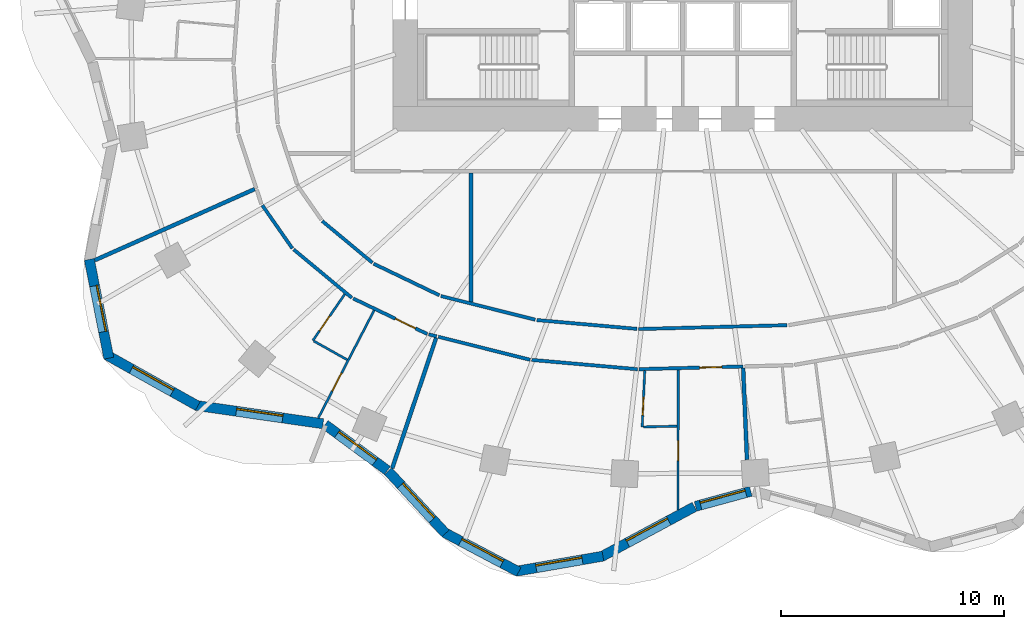
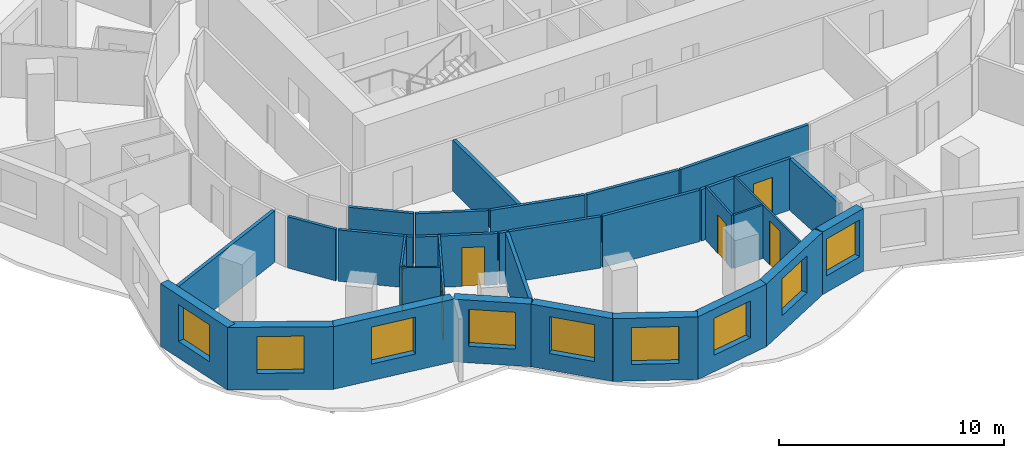
# One storey, part 3 of 10: 31 walls, 9 windows, 6 doors, 15 openings.
"""IFC4 building model written with IfcOpenShell, lengths in metres."""

import ifcopenshell
import ifcopenshell.guid

model = None  # the IFC model being written
_history = None  # IfcOwnerHistory: only IFC2X3 demands one
_inside = {}  # id of a spatial element -> (the spatial element, [elements in it])
_under = {}  # id of a project, library or spatial element -> (it, [spatial elements below it])
_declared = {}  # id of a project -> (the project, [libraries it declares])
_typed = {}  # id of a type object -> (the type object, [elements of that type])
_made_of = {}  # id of a material, layer set ... -> (it, [elements and type objects made of it])


def new_model(schema):
    """Start an empty IFC model of exactly this schema.

    Asked for "IFC4X3", IfcOpenShell would pick the latest addendum, in which some entities
    have other attributes; the version numbers below select the first issue.
    IFC2X3 requires an IfcOwnerHistory on every rooted entity: one is made here for all.
    """
    global model, _history
    if schema == "IFC4X3":
        model = ifcopenshell.file(schema_version=(4, 3, 0, 0))
    else:
        model = ifcopenshell.file(schema=schema)
    _inside.clear()
    _under.clear()
    _declared.clear()
    _typed.clear()
    _made_of.clear()
    _history = None
    if model.schema == "IFC2X3":
        org = make("IfcOrganization", Name="unknown")
        user = make(
            "IfcPersonAndOrganization",
            ThePerson=make("IfcPerson", FamilyName="unknown"),
            TheOrganization=org,
        )
        app = make(
            "IfcApplication",
            ApplicationDeveloper=org,
            Version="unknown",
            ApplicationFullName="unknown",
            ApplicationIdentifier="unknown",
        )
        _history = make(
            "IfcOwnerHistory",
            OwningUser=user,
            OwningApplication=app,
            ChangeAction="ADDED",
            CreationDate=0,
        )
    return model


def make(cls, **values):
    """One entity of the class cls with the attributes given. An attribute that is None is left unset."""
    return model.create_entity(
        cls, **{name: value for name, value in values.items() if value is not None}
    )


def rooted(cls, **values):
    """An entity with a GlobalId (a new one), such as an element, a storey or a relation."""
    return make(cls, GlobalId=ifcopenshell.guid.new(), OwnerHistory=_history, **values)


def si_unit(unit_type, name, prefix=None):
    """IfcSIUnit, for example si_unit("LENGTHUNIT", "METRE", prefix="MILLI")."""
    return make("IfcSIUnit", UnitType=unit_type, Prefix=prefix, Name=name)


def assignment(units):
    """IfcUnitAssignment: the units of a project."""
    return None if units is None else make("IfcUnitAssignment", Units=units)


def point(xyz):
    """IfcCartesianPoint."""
    return None if xyz is None else make("IfcCartesianPoint", Coordinates=xyz)


def direction(xyz):
    """IfcDirection."""
    return None if xyz is None else make("IfcDirection", DirectionRatios=xyz)


def frame(location, z_axis=None, x_axis=None):
    """IfcAxis2Placement3D, a coordinate frame: its origin and axes. An axis left out is left unset."""
    return make(
        "IfcAxis2Placement3D",
        Location=point(location),
        Axis=direction(z_axis),
        RefDirection=direction(x_axis),
    )


def frame_2d(location, x_axis=None):
    """IfcAxis2Placement2D, a coordinate frame in the plane: its origin and x axis."""
    return make(
        "IfcAxis2Placement2D", Location=point(location), RefDirection=direction(x_axis)
    )


def origin():
    """The frame at (0, 0, 0) with its axes left unset."""
    return frame((0.0, 0.0, 0.0))


def place(relative_to, where):
    """IfcLocalPlacement: puts the frame where relative to a parent placement (None: the world)."""
    return make(
        "IfcLocalPlacement", PlacementRelTo=relative_to, RelativePlacement=where
    )


def context(
    kind, dimensions, precision=None, world=None, true_north=None, identifier=None
):
    """IfcGeometricRepresentationContext, for example the 3D "Model" context."""
    return make(
        "IfcGeometricRepresentationContext",
        ContextIdentifier=identifier,
        ContextType=kind,
        CoordinateSpaceDimension=dimensions,
        Precision=precision,
        WorldCoordinateSystem=world,
        TrueNorth=true_north,
    )


def subcontext(parent, identifier, kind, view, scale=None):
    """IfcGeometricRepresentationSubContext, for example "Body" below "Model"."""
    return make(
        "IfcGeometricRepresentationSubContext",
        ContextIdentifier=identifier,
        ContextType=kind,
        ParentContext=parent,
        TargetScale=scale,
        TargetView=view,
    )


def project(units=None, contexts=None):
    """IfcProject with its units and contexts."""
    return rooted(
        "IfcProject",
        Name="project",
        RepresentationContexts=contexts,
        UnitsInContext=assignment(units),
    )


def spatial(cls, under=None, at=None, **own):
    """A site, building, storey or space (cls), placed at a placement, below another one or the project."""
    s = rooted(cls, ObjectPlacement=at, **own)
    if under is not None:
        _under.setdefault(under.id(), (under, []))[1].append(s)
    return s


def profile(cls, at=None, kind="AREA", **sizes):
    """A parametric profile (cls). Its sizes go by their IFC names, for example OverallWidth=200.0."""
    return make(cls, ProfileType=kind, Position=at, **sizes)


def rectangle(**sizes):
    """IfcRectangleProfileDef."""
    return profile("IfcRectangleProfileDef", **sizes)


def extrude(swept, where, along, depth):
    """IfcExtrudedAreaSolid: the profile swept, set in the frame where, extruded along a direction by depth."""
    return make(
        "IfcExtrudedAreaSolid",
        SweptArea=swept,
        Position=where,
        ExtrudedDirection=direction(along),
        Depth=depth,
    )


def shape(context_of_items, identifier, shape_type, items):
    """IfcShapeRepresentation: the items that make up one representation, for example the "Body"."""
    return make(
        "IfcShapeRepresentation",
        ContextOfItems=context_of_items,
        RepresentationIdentifier=identifier,
        RepresentationType=shape_type,
        Items=items,
    )


def material(Name=None, Category=None):
    """IfcMaterial."""
    return make("IfcMaterial", Name=Name, Category=Category)


def layer(
    of_material, thickness, ventilated=None, Name=None, Category=None, Priority=None
):
    """IfcMaterialLayer: one layer of a wall or slab, of a material (None: an air gap)."""
    return make(
        "IfcMaterialLayer",
        Material=of_material,
        LayerThickness=thickness,
        IsVentilated=ventilated,
        Name=Name,
        Category=Category,
        Priority=Priority,
    )


def layer_set(layers, Name=None):
    """IfcMaterialLayerSet."""
    return make("IfcMaterialLayerSet", MaterialLayers=layers, LayerSetName=Name)


def made_of(thing, what):
    """Note that an element or type object is made of a material, layer set ...; save() writes the relation."""
    if what is not None:
        _made_of.setdefault(what.id(), (what, []))[1].append(thing)
    return thing


def type_object(cls, material=None, **own):
    """A type object (cls), such as IfcWallType, which elements share."""
    return made_of(rooted(cls, **own), material)


def element(
    cls,
    number,
    at=None,
    inside=None,
    cuts=None,
    type_object=None,
    material=None,
    context=None,
    identifier="Body",
    shape_type=None,
    held_by="IfcProductDefinitionShape",
    body=None,
    shapes=None,
    **own,
):
    """One element of the class cls, such as IfcWall. Its Tag is "e" and its number.

    at: its placement. inside: the storey or other place that contains it. cuts: it is an
    opening in that element (IfcRelVoidsElement). A single representation is given by context,
    identifier, shape_type and body (its items); several are given by shapes. held_by: the class
    of the entity that holds the representations. save() writes the other relations.
    """
    e = rooted(cls, Tag="e%d" % number, ObjectPlacement=at, **own)
    if body is not None:
        shapes = [shape(context, identifier, shape_type, body)]
    if shapes is not None:
        e.Representation = make(held_by, Representations=shapes)
    if inside is not None:
        _inside.setdefault(inside.id(), (inside, []))[1].append(e)
    if cuts is not None:
        rooted(
            "IfcRelVoidsElement", RelatingBuildingElement=cuts, RelatedOpeningElement=e
        )
    if type_object is not None:
        _typed.setdefault(type_object.id(), (type_object, []))[1].append(e)
    return made_of(e, material)


def fill(opening, filler):
    """IfcRelFillsElement: the door or window that sits in an opening."""
    return rooted(
        "IfcRelFillsElement",
        RelatingOpeningElement=opening,
        RelatedBuildingElement=filler,
    )


def aggregate(whole, parts):
    """IfcRelAggregates: a whole, such as a stair, and the parts it consists of."""
    return rooted("IfcRelAggregates", RelatingObject=whole, RelatedObjects=parts)


def save(model, path):
    """Write the relations noted so far, then the file.

    IfcRelAggregates (storeys below a building ...), IfcRelContainedInSpatialStructure (elements
    in a storey), IfcRelDefinesByType, IfcRelAssociatesMaterial and IfcRelDeclares: one each for
    every whole, place, type object, material and project.
    """
    for whole, parts in _under.values():
        aggregate(whole, parts)
    for where, things in _inside.values():
        rooted(
            "IfcRelContainedInSpatialStructure",
            RelatedElements=things,
            RelatingStructure=where,
        )
    for kind, things in _typed.values():
        rooted("IfcRelDefinesByType", RelatedObjects=things, RelatingType=kind)
    for what, things in _made_of.values():
        rooted("IfcRelAssociatesMaterial", RelatedObjects=things, RelatingMaterial=what)
    for by, libraries in _declared.values():
        rooted("IfcRelDeclares", RelatingContext=by, RelatedDefinitions=libraries)
    model.write(path)


model = new_model("IFC4")

# Units and contexts
model_context = context("Model", 3, precision=1e-05, world=origin(), true_north=direction((0.0, 1.0)))
body_context = subcontext(model_context, "Body", "Model", "MODEL_VIEW")
ifc_project = project(units=[si_unit("LENGTHUNIT", "METRE"), si_unit("AREAUNIT", "SQUARE_METRE"), si_unit("VOLUMEUNIT", "CUBIC_METRE"), si_unit("PLANEANGLEUNIT", "RADIAN"), si_unit("MASSUNIT", "GRAM", prefix="KILO")], contexts=[model_context])

# Site, building, storey
site_placement = place(None, origin())
site = spatial("IfcSite", under=ifc_project, at=site_placement, CompositionType="ELEMENT")
building_placement = place(site_placement, origin())
building = spatial("IfcBuilding", under=site, at=building_placement, Name="Rubra Terraces Tower", CompositionType="ELEMENT")
storey_placement = place(building_placement, frame((0.0, 0.0, 88.800048828125)))
storey = spatial("IfcBuildingStorey", under=building, at=storey_placement, Name="L20", CompositionType="ELEMENT", Elevation=88.800048828125)

# Walls
ifc_material_1 = material(Name="Twin plasterboard on staggered steel stud, acoustic mineral wool", Category="steel")
ifc_layer_1 = layer(ifc_material_1, 0.175048828125)
ifc_layer_set_1 = layer_set([ifc_layer_1], Name="Twin plasterboard on staggered steel stud, acoustic mineral wool")
wall_type_1 = type_object("IfcWallType", Name="ACOUSTIC PARTY WALL 175", PredefinedType="PARTITIONING", material=ifc_layer_set_1)
wall_1_placement = place(storey_placement, frame((-26.3671875, -8.789306640625, 0.0), z_axis=(0.0, 0.0, 1.0), x_axis=(0.913674334345, 0.406447057756, 0.0)))
element("IfcWall", 1, at=wall_1_placement, inside=storey, type_object=wall_type_1, Name="PARTITION", PredefinedType="PARTITIONING", context=body_context, shape_type="SweptSolid", body=[
    extrude(rectangle(XDim=7.853759765625, YDim=0.175048828125, at=frame_2d((3.9267578125, 0.0))), origin(), (0.0, 0.0, 1.0), 2.783935546875),
])
wall_2_placement = place(storey_placement, frame((-13.024169921875, -18.112060546875, 0.0), z_axis=(0.0, 0.0, 1.0), x_axis=(0.319078434674, 0.947728311556, 0.0)))
element("IfcWall", 2, at=wall_2_placement, inside=storey, type_object=wall_type_1, Name="PARTITION", PredefinedType="PARTITIONING", context=body_context, shape_type="SweptSolid", body=[
    extrude(rectangle(XDim=6.163330078125, YDim=0.175048828125, at=frame_2d((3.08154296875, 0.0))), origin(), (0.0, 0.0, 1.0), 2.783935546875),
])
wall_3_placement = place(storey_placement, frame((2.88232421875, -17.732177734375, 0.0), z_axis=(0.0, 0.0, 1.0), x_axis=(-0.042001196053, 0.999117560415, 0.0)))
element("IfcWall", 3, at=wall_3_placement, inside=storey, type_object=wall_type_1, Name="PARTITION", PredefinedType="PARTITIONING", context=body_context, shape_type="SweptSolid", body=[
    extrude(rectangle(XDim=4.109619140625, YDim=0.175048828125, at=frame_2d((2.0546875, 0.0))), origin(), (0.0, 0.0, 1.0), 2.783935546875),
])
wall_4_placement = place(storey_placement, frame((-9.5, -10.653564453125, 0.0), z_axis=(0.0, 0.0, 1.0), x_axis=(0.0, 1.0, 0.0)))
element("IfcWall", 4, at=wall_4_placement, inside=storey, type_object=wall_type_1, Name="PARTITION", PredefinedType="PARTITIONING", context=body_context, shape_type="SweptSolid", body=[
    extrude(rectangle(XDim=5.778564453125, YDim=0.175048828125, at=frame_2d((2.88916015625, 0.0))), origin(), (0.0, 0.0, 1.0), 2.783935546875),
])

# Wall, opening, window
ifc_material_2 = material(Name="Brick masonry red-brown", Category="masonry")
ifc_layer_2 = layer(ifc_material_2, 0.449951171875)
ifc_layer_set_2 = layer_set([ifc_layer_2], Name="Brick masonry red-brown")
wall_type_2 = type_object("IfcWallType", Name="Brick facade wall 450", PredefinedType="SOLIDWALL", material=ifc_layer_set_2)
wall_5_placement = place(storey_placement, frame((-26.609619140625, -8.747802734375, 0.0), z_axis=(0.0, 0.0, 1.0), x_axis=(0.193923166402, -0.981016720312, 0.0)))
wall_5 = element("IfcWall", 5, at=wall_5_placement, inside=storey, type_object=wall_type_2, Name="Facade wall L20 bay 23", PredefinedType="SOLIDWALL", context=body_context, shape_type="SweptSolid", body=[
    extrude(rectangle(XDim=4.518310546875, YDim=0.449951171875, at=frame_2d((2.25927734375, 0.0))), origin(), (0.0, 0.0, 1.0), 3.39990234375),
])
opening_1_placement = place(wall_5_placement, frame((1.209228515625, 0.0, 0.89990234375)))
opening_1 = element("IfcOpeningElement", 6, at=opening_1_placement, cuts=wall_5, Name="Opening W1", PredefinedType="OPENING", context=body_context, shape_type="SweptSolid", body=[
    extrude(rectangle(XDim=2.10009765625, YDim=2.0, at=frame_2d((1.050048828125, 1.0))), frame((0.0, 0.23486328125, 0.0), z_axis=(0.0, -1.0, 0.0), x_axis=(1.0, 0.0, 0.0)), (0.0, 0.0, 1.0), 0.469970703125),
])
ifc_material_3 = material(Name="Clear glass in aluminium frame", Category="aluminium")
window_type = type_object("IfcWindowType", Name="Fixed deep-set window 2100 x 2000", PartitioningType="SINGLE_PANEL", PredefinedType="WINDOW", material=ifc_material_3)
window_1_placement = place(opening_1_placement, origin())
window_1 = element("IfcWindow", 7, at=window_1_placement, inside=storey, type_object=window_type, Name="Window L20 bay 23", OverallHeight=2.0, OverallWidth=2.10009765625, PartitioningType="SINGLE_PANEL", PredefinedType="WINDOW", context=body_context, shape_type="SweptSolid", body=[
    extrude(rectangle(XDim=2.10009765625, YDim=2.0, at=frame_2d((1.050048828125, 1.0))), frame((0.0, 0.135009765625, 0.0), z_axis=(0.0, -1.0, 0.0), x_axis=(1.0, 0.0, 0.0)), (0.0, 0.0, 1.0), 0.06005859375),
])
fill(opening_1, window_1)

wall_6_placement = place(storey_placement, frame((-25.843994140625, -13.027587890625, 0.0), z_axis=(0.0, 0.0, 1.0), x_axis=(0.872346398261, -0.488888291373, 0.0)))
wall_6 = element("IfcWall", 8, at=wall_6_placement, inside=storey, type_object=wall_type_2, Name="Facade wall L20 bay 24", PredefinedType="SOLIDWALL", context=body_context, shape_type="SweptSolid", body=[
    extrude(rectangle(XDim=4.696044921875, YDim=0.449951171875, at=frame_2d((2.34814453125, 0.0))), origin(), (0.0, 0.0, 1.0), 3.39990234375),
])
opening_2_placement = place(wall_6_placement, frame((1.298095703125, 0.0, 0.89990234375)))
opening_2 = element("IfcOpeningElement", 9, at=opening_2_placement, cuts=wall_6, Name="Opening W1", PredefinedType="OPENING", context=body_context, shape_type="SweptSolid", body=[
    extrude(rectangle(XDim=2.10009765625, YDim=2.0, at=frame_2d((1.050048828125, 1.0))), frame((0.0, 0.23486328125, 0.0), z_axis=(0.0, -1.0, 0.0), x_axis=(1.0, 0.0, 0.0)), (0.0, 0.0, 1.0), 0.469970703125),
])
window_2_placement = place(opening_2_placement, origin())
window_2 = element("IfcWindow", 10, at=window_2_placement, inside=storey, type_object=window_type, Name="Window L20 bay 24", OverallHeight=2.0, OverallWidth=2.10009765625, PartitioningType="SINGLE_PANEL", PredefinedType="WINDOW", context=body_context, shape_type="SweptSolid", body=[
    extrude(rectangle(XDim=2.10009765625, YDim=2.0, at=frame_2d((1.050048828125, 1.0))), frame((0.0, 0.135009765625, 0.0), z_axis=(0.0, -1.0, 0.0), x_axis=(1.0, 0.0, 0.0)), (0.0, 0.0, 1.0), 0.06005859375),
])
fill(opening_2, window_2)

wall_7_placement = place(storey_placement, frame((-21.8251953125, -15.297119140625, 0.0), z_axis=(0.0, 0.0, 1.0), x_axis=(0.98971474215, -0.143054986527, 0.0)))
wall_7 = element("IfcWall", 11, at=wall_7_placement, inside=storey, type_object=wall_type_2, Name="Facade wall L20 bay 25", PredefinedType="SOLIDWALL", context=body_context, shape_type="SweptSolid", body=[
    extrude(rectangle(XDim=5.7529296875, YDim=0.449951171875, at=frame_2d((2.87646484375, 0.0))), origin(), (0.0, 0.0, 1.0), 3.39990234375),
])
opening_3_placement = place(wall_7_placement, frame((1.826416015625, 0.0, 0.89990234375)))
opening_3 = element("IfcOpeningElement", 12, at=opening_3_placement, cuts=wall_7, Name="Opening W1", PredefinedType="OPENING", context=body_context, shape_type="SweptSolid", body=[
    extrude(rectangle(XDim=2.10009765625, YDim=2.0, at=frame_2d((1.050048828125, 1.0))), frame((0.0, 0.23486328125, 0.0), z_axis=(0.0, -1.0, 0.0), x_axis=(1.0, 0.0, 0.0)), (0.0, 0.0, 1.0), 0.469970703125),
])
window_3_placement = place(opening_3_placement, origin())
window_3 = element("IfcWindow", 13, at=window_3_placement, inside=storey, type_object=window_type, Name="Window L20 bay 25", OverallHeight=2.0, OverallWidth=2.10009765625, PartitioningType="SINGLE_PANEL", PredefinedType="WINDOW", context=body_context, shape_type="SweptSolid", body=[
    extrude(rectangle(XDim=2.10009765625, YDim=2.0, at=frame_2d((1.050048828125, 1.0))), frame((0.0, 0.135009765625, 0.0), z_axis=(0.0, -1.0, 0.0), x_axis=(1.0, 0.0, 0.0)), (0.0, 0.0, 1.0), 0.06005859375),
])
fill(opening_3, window_3)

wall_8_placement = place(storey_placement, frame((-16.03564453125, -16.15771484375, 0.0), z_axis=(0.0, 0.0, 1.0), x_axis=(0.805181432967, -0.593028549064, 0.0)))
wall_8 = element("IfcWall", 14, at=wall_8_placement, inside=storey, type_object=wall_type_2, Name="Facade wall L20 bay 26", PredefinedType="SOLIDWALL", context=body_context, shape_type="SweptSolid", body=[
    extrude(rectangle(XDim=3.468505859375, YDim=0.449951171875, at=frame_2d((1.734375, 0.0))), origin(), (0.0, 0.0, 1.0), 3.39990234375),
])
opening_4_placement = place(wall_8_placement, frame((0.684326171875, 0.0, 0.89990234375)))
opening_4 = element("IfcOpeningElement", 15, at=opening_4_placement, cuts=wall_8, Name="Opening W1", PredefinedType="OPENING", context=body_context, shape_type="SweptSolid", body=[
    extrude(rectangle(XDim=2.10009765625, YDim=2.0, at=frame_2d((1.050048828125, 1.0))), frame((0.0, 0.23486328125, 0.0), z_axis=(0.0, -1.0, 0.0), x_axis=(1.0, 0.0, 0.0)), (0.0, 0.0, 1.0), 0.469970703125),
])
window_4_placement = place(opening_4_placement, origin())
window_4 = element("IfcWindow", 16, at=window_4_placement, inside=storey, type_object=window_type, Name="Window L20 bay 26", OverallHeight=2.0, OverallWidth=2.10009765625, PartitioningType="SINGLE_PANEL", PredefinedType="WINDOW", context=body_context, shape_type="SweptSolid", body=[
    extrude(rectangle(XDim=2.10009765625, YDim=2.0, at=frame_2d((1.050048828125, 1.0))), frame((0.0, 0.135009765625, 0.0), z_axis=(0.0, -1.0, 0.0), x_axis=(1.0, 0.0, 0.0)), (0.0, 0.0, 1.0), 0.06005859375),
])
fill(opening_4, window_4)

wall_9_placement = place(storey_placement, frame((-13.20947265625, -18.242919921875, 0.0), z_axis=(0.0, 0.0, 1.0), x_axis=(0.677612152497, -0.735419452278, 0.0)))
wall_9 = element("IfcWall", 17, at=wall_9_placement, inside=storey, type_object=wall_type_2, Name="Facade wall L20 bay 27", PredefinedType="SOLIDWALL", context=body_context, shape_type="SweptSolid", body=[
    extrude(rectangle(XDim=3.796875, YDim=0.449951171875, at=frame_2d((1.8984375, 0.0))), origin(), (0.0, 0.0, 1.0), 3.39990234375),
])
opening_5_placement = place(wall_9_placement, frame((0.848388671875, 0.0, 0.89990234375)))
opening_5 = element("IfcOpeningElement", 18, at=opening_5_placement, cuts=wall_9, Name="Opening W1", PredefinedType="OPENING", context=body_context, shape_type="SweptSolid", body=[
    extrude(rectangle(XDim=2.10009765625, YDim=2.0, at=frame_2d((1.050048828125, 1.0))), frame((0.0, 0.23486328125, 0.0), z_axis=(0.0, -1.0, 0.0), x_axis=(1.0, 0.0, 0.0)), (0.0, 0.0, 1.0), 0.469970703125),
])
window_5_placement = place(opening_5_placement, origin())
window_5 = element("IfcWindow", 19, at=window_5_placement, inside=storey, type_object=window_type, Name="Window L20 bay 27", OverallHeight=2.0, OverallWidth=2.10009765625, PartitioningType="SINGLE_PANEL", PredefinedType="WINDOW", context=body_context, shape_type="SweptSolid", body=[
    extrude(rectangle(XDim=2.10009765625, YDim=2.0, at=frame_2d((1.050048828125, 1.0))), frame((0.0, 0.135009765625, 0.0), z_axis=(0.0, -1.0, 0.0), x_axis=(1.0, 0.0, 0.0)), (0.0, 0.0, 1.0), 0.06005859375),
])
fill(opening_5, window_5)

wall_10_placement = place(storey_placement, frame((-10.692626953125, -20.9931640625, 0.0), z_axis=(0.0, 0.0, 1.0), x_axis=(0.883817790726, -0.46783128668, 0.0)))
wall_10 = element("IfcWall", 20, at=wall_10_placement, inside=storey, type_object=wall_type_2, Name="Facade wall L20 bay 28", PredefinedType="SOLIDWALL", context=body_context, shape_type="SweptSolid", body=[
    extrude(rectangle(XDim=3.776611328125, YDim=0.449951171875, at=frame_2d((1.88818359375, 0.0))), origin(), (0.0, 0.0, 1.0), 3.39990234375),
])
opening_6_placement = place(wall_10_placement, frame((0.83837890625, 0.0, 0.89990234375)))
opening_6 = element("IfcOpeningElement", 21, at=opening_6_placement, cuts=wall_10, Name="Opening W1", PredefinedType="OPENING", context=body_context, shape_type="SweptSolid", body=[
    extrude(rectangle(XDim=2.10009765625, YDim=2.0, at=frame_2d((1.050048828125, 1.0))), frame((0.0, 0.23486328125, 0.0), z_axis=(0.0, -1.0, 0.0), x_axis=(1.0, 0.0, 0.0)), (0.0, 0.0, 1.0), 0.469970703125),
])
window_6_placement = place(opening_6_placement, origin())
window_6 = element("IfcWindow", 22, at=window_6_placement, inside=storey, type_object=window_type, Name="Window L20 bay 28", OverallHeight=2.0, OverallWidth=2.10009765625, PartitioningType="SINGLE_PANEL", PredefinedType="WINDOW", context=body_context, shape_type="SweptSolid", body=[
    extrude(rectangle(XDim=2.10009765625, YDim=2.0, at=frame_2d((1.050048828125, 1.0))), frame((0.0, 0.135009765625, 0.0), z_axis=(0.0, -1.0, 0.0), x_axis=(1.0, 0.0, 0.0)), (0.0, 0.0, 1.0), 0.06005859375),
])
fill(opening_6, window_6)

wall_11_placement = place(storey_placement, frame((-7.49853515625, -22.7373046875, 0.0), z_axis=(0.0, 0.0, 1.0), x_axis=(0.98521220506, 0.171338585849, 0.0)))
wall_11 = element("IfcWall", 23, at=wall_11_placement, inside=storey, type_object=wall_type_2, Name="Facade wall L20 bay 29", PredefinedType="SOLIDWALL", context=body_context, shape_type="SweptSolid", body=[
    extrude(rectangle(XDim=3.979736328125, YDim=0.449951171875, at=frame_2d((1.98974609375, 0.0))), origin(), (0.0, 0.0, 1.0), 3.39990234375),
])
opening_7_placement = place(wall_11_placement, frame((0.93994140625, 0.0, 0.89990234375)))
opening_7 = element("IfcOpeningElement", 24, at=opening_7_placement, cuts=wall_11, Name="Opening W1", PredefinedType="OPENING", context=body_context, shape_type="SweptSolid", body=[
    extrude(rectangle(XDim=2.10009765625, YDim=2.0, at=frame_2d((1.050048828125, 1.0))), frame((0.0, 0.23486328125, 0.0), z_axis=(0.0, -1.0, 0.0), x_axis=(1.0, 0.0, 0.0)), (0.0, 0.0, 1.0), 0.469970703125),
])
window_7_placement = place(opening_7_placement, origin())
window_7 = element("IfcWindow", 25, at=window_7_placement, inside=storey, type_object=window_type, Name="Window L20 bay 29", OverallHeight=2.0, OverallWidth=2.10009765625, PartitioningType="SINGLE_PANEL", PredefinedType="WINDOW", context=body_context, shape_type="SweptSolid", body=[
    extrude(rectangle(XDim=2.10009765625, YDim=2.0, at=frame_2d((1.050048828125, 1.0))), frame((0.0, 0.135009765625, 0.0), z_axis=(0.0, -1.0, 0.0), x_axis=(1.0, 0.0, 0.0)), (0.0, 0.0, 1.0), 0.06005859375),
])
fill(opening_7, window_7)

wall_12_placement = place(storey_placement, frame((-3.6455078125, -22.07861328125, 0.0), z_axis=(0.0, 0.0, 1.0), x_axis=(0.881279133897, 0.472596115259, 0.0)))
wall_12 = element("IfcWall", 26, at=wall_12_placement, inside=storey, type_object=wall_type_2, Name="Facade wall L20 bay 30", PredefinedType="SOLIDWALL", context=body_context, shape_type="SweptSolid", body=[
    extrude(rectangle(XDim=4.736572265625, YDim=0.449951171875, at=frame_2d((2.3681640625, 0.0))), origin(), (0.0, 0.0, 1.0), 3.39990234375),
])
opening_8_placement = place(wall_12_placement, frame((1.318115234375, 0.0, 0.89990234375)))
opening_8 = element("IfcOpeningElement", 27, at=opening_8_placement, cuts=wall_12, Name="Opening W1", PredefinedType="OPENING", context=body_context, shape_type="SweptSolid", body=[
    extrude(rectangle(XDim=2.10009765625, YDim=2.0, at=frame_2d((1.050048828125, 1.0))), frame((0.0, 0.23486328125, 0.0), z_axis=(0.0, -1.0, 0.0), x_axis=(1.0, 0.0, 0.0)), (0.0, 0.0, 1.0), 0.469970703125),
])
window_8_placement = place(opening_8_placement, origin())
window_8 = element("IfcWindow", 28, at=window_8_placement, inside=storey, type_object=window_type, Name="Window L20 bay 30", OverallHeight=2.0, OverallWidth=2.10009765625, PartitioningType="SINGLE_PANEL", PredefinedType="WINDOW", context=body_context, shape_type="SweptSolid", body=[
    extrude(rectangle(XDim=2.10009765625, YDim=2.0, at=frame_2d((1.050048828125, 1.0))), frame((0.0, 0.135009765625, 0.0), z_axis=(0.0, -1.0, 0.0), x_axis=(1.0, 0.0, 0.0)), (0.0, 0.0, 1.0), 0.06005859375),
])
fill(opening_8, window_8)

wall_13_placement = place(storey_placement, frame((0.576171875, -19.8212890625, 0.0), z_axis=(0.0, 0.0, 1.0), x_axis=(0.965009398019, 0.262215296532, 0.0)))
wall_13 = element("IfcWall", 29, at=wall_13_placement, inside=storey, type_object=wall_type_2, Name="Facade wall L20 bay 31", PredefinedType="SOLIDWALL", context=body_context, shape_type="SweptSolid", body=[
    extrude(rectangle(XDim=2.565185546875, YDim=0.449951171875, at=frame_2d((1.28271484375, 0.0))), origin(), (0.0, 0.0, 1.0), 3.39990234375),
])
opening_9_placement = place(wall_13_placement, frame((0.232666015625, 0.0, 0.89990234375)))
opening_9 = element("IfcOpeningElement", 30, at=opening_9_placement, cuts=wall_13, Name="Opening W1", PredefinedType="OPENING", context=body_context, shape_type="SweptSolid", body=[
    extrude(rectangle(XDim=2.10009765625, YDim=2.0, at=frame_2d((1.050048828125, 1.0))), frame((0.0, 0.23486328125, 0.0), z_axis=(0.0, -1.0, 0.0), x_axis=(1.0, 0.0, 0.0)), (0.0, 0.0, 1.0), 0.469970703125),
])
window_9_placement = place(opening_9_placement, origin())
window_9 = element("IfcWindow", 31, at=window_9_placement, inside=storey, type_object=window_type, Name="Window L20 bay 31", OverallHeight=2.0, OverallWidth=2.10009765625, PartitioningType="SINGLE_PANEL", PredefinedType="WINDOW", context=body_context, shape_type="SweptSolid", body=[
    extrude(rectangle(XDim=2.10009765625, YDim=2.0, at=frame_2d((1.050048828125, 1.0))), frame((0.0, 0.135009765625, 0.0), z_axis=(0.0, -1.0, 0.0), x_axis=(1.0, 0.0, 0.0)), (0.0, 0.0, 1.0), 0.06005859375),
])
fill(opening_9, window_9)

# Walls
ifc_material_4 = material(Name="Plasterboard on steel stud, mineral wool infill", Category="steel")
ifc_layer_3 = layer(ifc_material_4, 0.14990234375)
ifc_layer_set_3 = layer_set([ifc_layer_3], Name="Plasterboard on steel stud, mineral wool infill")
wall_type_3 = type_object("IfcWallType", Name="CORRIDOR PARTITION 150", PredefinedType="PARTITIONING", material=ifc_layer_set_3)
wall_14_placement = place(storey_placement, frame((-18.85107421875, -6.324951171875, 0.0), z_axis=(0.0, 0.0, 1.0), x_axis=(0.572090775968, -0.820190309656, 0.0)))
element("IfcWall", 32, at=wall_14_placement, inside=storey, type_object=wall_type_3, Name="PARTITION", PredefinedType="PARTITIONING", context=body_context, shape_type="SweptSolid", body=[
    extrude(rectangle(XDim=2.354736328125, YDim=0.14990234375, at=frame_2d((1.17724609375, 0.0))), origin(), (0.0, 0.0, 1.0), 2.783935546875),
])
wall_15_placement = place(storey_placement, frame((-17.4462890625, -8.30419921875, 0.0), z_axis=(0.0, 0.0, 1.0), x_axis=(0.769200174495, -0.639007896318, 0.0)))
element("IfcWall", 33, at=wall_15_placement, inside=storey, type_object=wall_type_3, Name="PARTITION", PredefinedType="PARTITIONING", context=body_context, shape_type="SweptSolid", body=[
    extrude(rectangle(XDim=3.390380859375, YDim=0.14990234375, at=frame_2d((1.6953125, 0.0))), origin(), (0.0, 0.0, 1.0), 2.783935546875),
])

# Wall, opening, door
wall_16_placement = place(storey_placement, frame((-14.77099609375, -10.50341796875, 0.0), z_axis=(0.0, 0.0, 1.0), x_axis=(0.901503349553, -0.432772123346, 0.0)))
wall_16 = element("IfcWall", 34, at=wall_16_placement, inside=storey, type_object=wall_type_3, Name="PARTITION", PredefinedType="PARTITIONING", context=body_context, shape_type="SweptSolid", body=[
    extrude(rectangle(XDim=3.673095703125, YDim=0.14990234375, at=frame_2d((1.83642578125, 0.0))), origin(), (0.0, 0.0, 1.0), 2.783935546875),
])
opening_10_placement = place(wall_16_placement, frame((2.092041015625, 0.0, 0.0)))
opening_10 = element("IfcOpeningElement", 35, at=opening_10_placement, cuts=wall_16, Name="Opening 20-114", PredefinedType="OPENING", context=body_context, shape_type="SweptSolid", body=[
    extrude(rectangle(XDim=1.0, YDim=2.10009765625, at=frame_2d((0.5, 1.050048828125))), frame((0.0, 0.0849609375, 0.0), z_axis=(0.0, -1.0, 0.0), x_axis=(1.0, 0.0, 0.0)), (0.0, 0.0, 1.0), 0.169921875),
])
ifc_material_5 = material(Name="Painted timber door leaf", Category="wood")
door_type_1 = type_object("IfcDoorType", Name="ROOM DOOR 1000 X 2100", OperationType="SINGLE_SWING_LEFT", PredefinedType="DOOR", material=ifc_material_5)
door_1_placement = place(opening_10_placement, origin())
door_1 = element("IfcDoor", 36, at=door_1_placement, inside=storey, type_object=door_type_1, Name="DOOR 20-114", OperationType="SINGLE_SWING_RIGHT", OverallHeight=2.10009765625, OverallWidth=1.0, PredefinedType="DOOR", context=body_context, shape_type="SweptSolid", body=[
    extrude(rectangle(XDim=1.0, YDim=2.10009765625, at=frame_2d((0.5, 1.050048828125))), frame((0.0, 0.02490234375, 0.0), z_axis=(0.0, -1.0, 0.0), x_axis=(1.0, 0.0, 0.0)), (0.0, 0.0, 1.0), 0.050048828125),
])
fill(opening_10, door_1)

# Walls
wall_17_placement = place(storey_placement, frame((-11.386962890625, -12.111328125, 0.0), z_axis=(0.0, 0.0, 1.0), x_axis=(0.969945028314, -0.243324150157, 0.0)))
element("IfcWall", 37, at=wall_17_placement, inside=storey, type_object=wall_type_3, Name="PARTITION", PredefinedType="PARTITIONING", context=body_context, shape_type="SweptSolid", body=[
    extrude(rectangle(XDim=0.3642578125, YDim=0.14990234375, at=frame_2d((0.18212890625, 0.0))), origin(), (0.0, 0.0, 1.0), 2.783935546875),
])
wall_18_placement = place(storey_placement, frame((-10.961181640625, -12.218017578125, 0.0), z_axis=(0.0, 0.0, 1.0), x_axis=(0.969990045386, -0.243144631551, 0.0)))
element("IfcWall", 38, at=wall_18_placement, inside=storey, type_object=wall_type_3, Name="PARTITION", PredefinedType="PARTITIONING", context=body_context, shape_type="SweptSolid", body=[
    extrude(rectangle(XDim=4.244384765625, YDim=0.14990234375, at=frame_2d((2.1220703125, 0.0))), origin(), (0.0, 0.0, 1.0), 2.783935546875),
])
wall_19_placement = place(storey_placement, frame((-6.76953125, -13.256591796875, 0.0), z_axis=(0.0, 0.0, 1.0), x_axis=(0.996139758015, -0.08778144737, 0.0)))
element("IfcWall", 39, at=wall_19_placement, inside=storey, type_object=wall_type_3, Name="PARTITION", PredefinedType="PARTITIONING", context=body_context, shape_type="SweptSolid", body=[
    extrude(rectangle(XDim=4.755859375, YDim=0.14990234375, at=frame_2d((2.3779296875, 0.0))), origin(), (0.0, 0.0, 1.0), 2.783935546875),
])

# Wall, opening, door
wall_20_placement = place(storey_placement, frame((-1.95703125, -13.672119140625, 0.0), z_axis=(0.0, 0.0, 1.0), x_axis=(0.999664413823, 0.025904820691, 0.0)))
wall_20 = element("IfcWall", 40, at=wall_20_placement, inside=storey, type_object=wall_type_3, Name="PARTITION", PredefinedType="PARTITIONING", context=body_context, shape_type="SweptSolid", body=[
    extrude(rectangle(XDim=4.6650390625, YDim=0.14990234375, at=frame_2d((2.33251953125, 0.0))), origin(), (0.0, 0.0, 1.0), 2.783935546875),
])
opening_11_placement = place(wall_20_placement, frame((2.7119140625, 0.0, 0.0)))
opening_11 = element("IfcOpeningElement", 41, at=opening_11_placement, cuts=wall_20, Name="Opening 20-117", PredefinedType="OPENING", context=body_context, shape_type="SweptSolid", body=[
    extrude(rectangle(XDim=1.0, YDim=2.10009765625, at=frame_2d((0.5, 1.050048828125))), frame((0.0, 0.0849609375, 0.0), z_axis=(0.0, -1.0, 0.0), x_axis=(1.0, 0.0, 0.0)), (0.0, 0.0, 1.0), 0.169921875),
])
door_2_placement = place(opening_11_placement, origin())
door_2 = element("IfcDoor", 42, at=door_2_placement, inside=storey, type_object=door_type_1, Name="DOOR 20-117", OperationType="SINGLE_SWING_RIGHT", OverallHeight=2.10009765625, OverallWidth=1.0, PredefinedType="DOOR", context=body_context, shape_type="SweptSolid", body=[
    extrude(rectangle(XDim=1.0, YDim=2.10009765625, at=frame_2d((0.5, 1.050048828125))), frame((0.0, 0.02490234375, 0.0), z_axis=(0.0, -1.0, 0.0), x_axis=(1.0, 0.0, 0.0)), (0.0, 0.0, 1.0), 0.050048828125),
])
fill(opening_11, door_2)

# Walls
wall_21_placement = place(storey_placement, frame((4.684326171875, -11.69921875, 0.0), z_axis=(0.0, 0.0, 1.0), x_axis=(-0.999663438204, -0.025942442425, 0.0)))
element("IfcWall", 43, at=wall_21_placement, inside=storey, type_object=wall_type_3, Name="PARTITION", PredefinedType="PARTITIONING", context=body_context, shape_type="SweptSolid", body=[
    extrude(rectangle(XDim=6.662841796875, YDim=0.14990234375, at=frame_2d((3.33154296875, 0.0))), origin(), (0.0, 0.0, 1.0), 2.783935546875),
])
wall_22_placement = place(storey_placement, frame((-2.05078125, -11.865478515625, 0.0), z_axis=(0.0, 0.0, 1.0), x_axis=(-0.996139599493, 0.087783246245, 0.0)))
element("IfcWall", 44, at=wall_22_placement, inside=storey, type_object=wall_type_3, Name="PARTITION", PredefinedType="PARTITIONING", context=body_context, shape_type="SweptSolid", body=[
    extrude(rectangle(XDim=4.510986328125, YDim=0.14990234375, at=frame_2d((2.25537109375, 0.0))), origin(), (0.0, 0.0, 1.0), 2.783935546875),
])
wall_23_placement = place(storey_placement, frame((-6.6171875, -11.451416015625, 0.0), z_axis=(0.0, 0.0, 1.0), x_axis=(-0.969987441267, 0.243155020069, 0.0)))
element("IfcWall", 45, at=wall_23_placement, inside=storey, type_object=wall_type_3, Name="PARTITION", PredefinedType="PARTITIONING", context=body_context, shape_type="SweptSolid", body=[
    extrude(rectangle(XDim=4.358642578125, YDim=0.14990234375, at=frame_2d((2.17919921875, 0.0))), origin(), (0.0, 0.0, 1.0), 2.783935546875),
])
wall_24_placement = place(storey_placement, frame((-10.91259765625, -10.35888671875, 0.0), z_axis=(0.0, 0.0, 1.0), x_axis=(-0.90149741277, 0.432784489982, 0.0)))
element("IfcWall", 46, at=wall_24_placement, inside=storey, type_object=wall_type_3, Name="PARTITION", PredefinedType="PARTITIONING", context=body_context, shape_type="SweptSolid", body=[
    extrude(rectangle(XDim=3.2685546875, YDim=0.14990234375, at=frame_2d((1.63427734375, 0.0))), origin(), (0.0, 0.0, 1.0), 2.783935546875),
])
wall_25_placement = place(storey_placement, frame((-13.916748046875, -8.896484375, 0.0), z_axis=(0.0, 0.0, 1.0), x_axis=(-0.769130409479, 0.639091866021, 0.0)))
element("IfcWall", 47, at=wall_25_placement, inside=storey, type_object=wall_type_3, Name="PARTITION", PredefinedType="PARTITIONING", context=body_context, shape_type="SweptSolid", body=[
    extrude(rectangle(XDim=2.925048828125, YDim=0.14990234375, at=frame_2d((1.46240234375, 0.0))), origin(), (0.0, 0.0, 1.0), 2.783935546875),
])

# Wall, opening, door
ifc_material_6 = material(Name="Plasterboard on steel stud", Category="steel")
ifc_layer_4 = layer(ifc_material_6, 0.10009765625)
ifc_layer_set_4 = layer_set([ifc_layer_4], Name="Plasterboard on steel stud")
wall_type_4 = type_object("IfcWallType", Name="ROOM PARTITION 100", PredefinedType="PARTITIONING", material=ifc_layer_set_4)
wall_26_placement = place(storey_placement, frame((-16.341064453125, -15.8623046875, 0.0), z_axis=(0.0, 0.0, 1.0), x_axis=(0.460149427678, 0.887841485969, 0.0)))
wall_26 = element("IfcWall", 48, at=wall_26_placement, inside=storey, type_object=wall_type_4, Name="PARTITION", PredefinedType="PARTITIONING", context=body_context, shape_type="SweptSolid", body=[
    extrude(rectangle(XDim=5.438232421875, YDim=0.10009765625, at=frame_2d((2.71923828125, 0.0))), origin(), (0.0, 0.0, 1.0), 2.884033203125),
])
opening_12_placement = place(wall_26_placement, frame((1.363037109375, 0.0, 0.0)))
opening_12 = element("IfcOpeningElement", 49, at=opening_12_placement, cuts=wall_26, Name="Opening 20-113", PredefinedType="OPENING", context=body_context, shape_type="SweptSolid", body=[
    extrude(rectangle(XDim=0.89990234375, YDim=2.39990234375, at=frame_2d((0.449951171875, 1.199951171875))), frame((0.0, 0.06005859375, 0.0), z_axis=(0.0, -1.0, 0.0), x_axis=(1.0, 0.0, 0.0)), (0.0, 0.0, 1.0), 0.1201171875),
])
ifc_material_7 = material(Name="Veneered timber door leaf, fire-rated", Category="wood")
door_type_2 = type_object("IfcDoorType", Name="SUITE ENTRANCE DOOR 900 X 2400", OperationType="SINGLE_SWING_LEFT", PredefinedType="DOOR", material=ifc_material_7)
door_3_placement = place(opening_12_placement, origin())
door_3 = element("IfcDoor", 50, at=door_3_placement, inside=storey, type_object=door_type_2, Name="DOOR 20-113", OperationType="SINGLE_SWING_LEFT", OverallHeight=2.39990234375, OverallWidth=0.89990234375, PredefinedType="DOOR", context=body_context, shape_type="SweptSolid", body=[
    extrude(rectangle(XDim=0.89990234375, YDim=2.39990234375, at=frame_2d((0.449951171875, 1.199951171875))), frame((0.0, 0.02490234375, 0.0), z_axis=(0.0, -1.0, 0.0), x_axis=(1.0, 0.0, 0.0)), (0.0, 0.0, 1.0), 0.050048828125),
])
fill(opening_12, door_3)

wall_27_placement = place(storey_placement, frame((-15.15234375, -10.30712890625, 0.0), z_axis=(0.0, 0.0, 1.0), x_axis=(-0.567242581317, -0.823550759784, 0.0)))
wall_27 = element("IfcWall", 51, at=wall_27_placement, inside=storey, type_object=wall_type_4, Name="PARTITION", PredefinedType="PARTITIONING", context=body_context, shape_type="SweptSolid", body=[
    extrude(rectangle(XDim=2.525146484375, YDim=0.10009765625, at=frame_2d((1.2626953125, 0.0))), origin(), (0.0, 0.0, 1.0), 2.884033203125),
])
opening_13_placement = place(wall_27_placement, frame((1.199951171875, 0.0, 0.0)))
opening_13 = element("IfcOpeningElement", 52, at=opening_13_placement, cuts=wall_27, Name="Opening 20-112", PredefinedType="OPENING", context=body_context, shape_type="SweptSolid", body=[
    extrude(rectangle(XDim=0.800048828125, YDim=2.10009765625, at=frame_2d((0.39990234375, 1.050048828125))), frame((0.0, 0.06005859375, 0.0), z_axis=(0.0, -1.0, 0.0), x_axis=(1.0, 0.0, 0.0)), (0.0, 0.0, 1.0), 0.1201171875),
])
door_type_3 = type_object("IfcDoorType", Name="BATHROOM DOOR 800 X 2100", OperationType="SINGLE_SWING_LEFT", PredefinedType="DOOR", material=ifc_material_5)
door_4_placement = place(opening_13_placement, origin())
door_4 = element("IfcDoor", 53, at=door_4_placement, inside=storey, type_object=door_type_3, Name="DOOR 20-112", OperationType="SINGLE_SWING_LEFT", OverallHeight=2.10009765625, OverallWidth=0.800048828125, PredefinedType="DOOR", context=body_context, shape_type="SweptSolid", body=[
    extrude(rectangle(XDim=0.800048828125, YDim=2.10009765625, at=frame_2d((0.39990234375, 1.050048828125))), frame((0.0, 0.02490234375, 0.0), z_axis=(0.0, -1.0, 0.0), x_axis=(1.0, 0.0, 0.0)), (0.0, 0.0, 1.0), 0.050048828125),
])
fill(opening_13, door_4)

# Wall
wall_28_placement = place(storey_placement, frame((-16.541015625, -12.4111328125, 0.0), z_axis=(0.0, 0.0, 1.0), x_axis=(0.872042364088, -0.489430398765, 0.0)))
element("IfcWall", 54, at=wall_28_placement, inside=storey, type_object=wall_type_4, Name="PARTITION", PredefinedType="PARTITIONING", context=body_context, shape_type="SweptSolid", body=[
    extrude(rectangle(XDim=1.716552734375, YDim=0.10009765625, at=frame_2d((0.8583984375, 0.0))), origin(), (0.0, 0.0, 1.0), 2.884033203125),
])

# Wall, opening, door
wall_29_placement = place(storey_placement, frame((-0.21435546875, -19.978759765625, 0.0), z_axis=(0.0, 0.0, 1.0), x_axis=(0.002333625165, 0.999997277093, 0.0)))
wall_29 = element("IfcWall", 55, at=wall_29_placement, inside=storey, type_object=wall_type_4, Name="PARTITION", PredefinedType="PARTITIONING", context=body_context, shape_type="SweptSolid", body=[
    extrude(rectangle(XDim=6.277099609375, YDim=0.10009765625, at=frame_2d((3.138671875, 0.0))), origin(), (0.0, 0.0, 1.0), 2.884033203125),
])
opening_14_placement = place(wall_29_placement, frame((2.201904296875, 0.0, 0.0)))
opening_14 = element("IfcOpeningElement", 56, at=opening_14_placement, cuts=wall_29, Name="Opening 20-116", PredefinedType="OPENING", context=body_context, shape_type="SweptSolid", body=[
    extrude(rectangle(XDim=0.89990234375, YDim=2.39990234375, at=frame_2d((0.449951171875, 1.199951171875))), frame((0.0, 0.06005859375, 0.0), z_axis=(0.0, -1.0, 0.0), x_axis=(1.0, 0.0, 0.0)), (0.0, 0.0, 1.0), 0.1201171875),
])
door_5_placement = place(opening_14_placement, origin())
door_5 = element("IfcDoor", 57, at=door_5_placement, inside=storey, type_object=door_type_2, Name="DOOR 20-116", OperationType="SINGLE_SWING_LEFT", OverallHeight=2.39990234375, OverallWidth=0.89990234375, PredefinedType="DOOR", context=body_context, shape_type="SweptSolid", body=[
    extrude(rectangle(XDim=0.89990234375, YDim=2.39990234375, at=frame_2d((0.449951171875, 1.199951171875))), frame((0.0, 0.02490234375, 0.0), z_axis=(0.0, -1.0, 0.0), x_axis=(1.0, 0.0, 0.0)), (0.0, 0.0, 1.0), 0.050048828125),
])
fill(opening_14, door_5)

wall_30_placement = place(storey_placement, frame((-1.702392578125, -13.740478515625, 0.0), z_axis=(0.0, 0.0, 1.0), x_axis=(-0.045833111847, -0.998949110745, 0.0)))
wall_30 = element("IfcWall", 58, at=wall_30_placement, inside=storey, type_object=wall_type_4, Name="PARTITION", PredefinedType="PARTITIONING", context=body_context, shape_type="SweptSolid", body=[
    extrude(rectangle(XDim=2.52490234375, YDim=0.10009765625, at=frame_2d((1.262451171875, 0.0))), origin(), (0.0, 0.0, 1.0), 2.884033203125),
])
opening_15_placement = place(wall_30_placement, frame((1.199951171875, 0.0, 0.0)))
opening_15 = element("IfcOpeningElement", 59, at=opening_15_placement, cuts=wall_30, Name="Opening 20-115", PredefinedType="OPENING", context=body_context, shape_type="SweptSolid", body=[
    extrude(rectangle(XDim=0.800048828125, YDim=2.10009765625, at=frame_2d((0.39990234375, 1.050048828125))), frame((0.0, 0.06005859375, 0.0), z_axis=(0.0, -1.0, 0.0), x_axis=(1.0, 0.0, 0.0)), (0.0, 0.0, 1.0), 0.1201171875),
])
door_6_placement = place(opening_15_placement, origin())
door_6 = element("IfcDoor", 60, at=door_6_placement, inside=storey, type_object=door_type_3, Name="DOOR 20-115", OperationType="SINGLE_SWING_LEFT", OverallHeight=2.10009765625, OverallWidth=0.800048828125, PredefinedType="DOOR", context=body_context, shape_type="SweptSolid", body=[
    extrude(rectangle(XDim=0.800048828125, YDim=2.10009765625, at=frame_2d((0.39990234375, 1.050048828125))), frame((0.0, 0.02490234375, 0.0), z_axis=(0.0, -1.0, 0.0), x_axis=(1.0, 0.0, 0.0)), (0.0, 0.0, 1.0), 0.050048828125),
])
fill(opening_15, door_6)

# Wall
wall_31_placement = place(storey_placement, frame((-1.768310546875, -16.26171875, 0.0), z_axis=(0.0, 0.0, 1.0), x_axis=(0.999748456617, 0.022428185195, 0.0)))
element("IfcWall", 61, at=wall_31_placement, inside=storey, type_object=wall_type_4, Name="PARTITION", PredefinedType="PARTITIONING", context=body_context, shape_type="SweptSolid", body=[
    extrude(rectangle(XDim=1.51318359375, YDim=0.10009765625, at=frame_2d((0.756591796875, 0.0))), origin(), (0.0, 0.0, 1.0), 2.884033203125),
])

save(model, "model.ifc")
